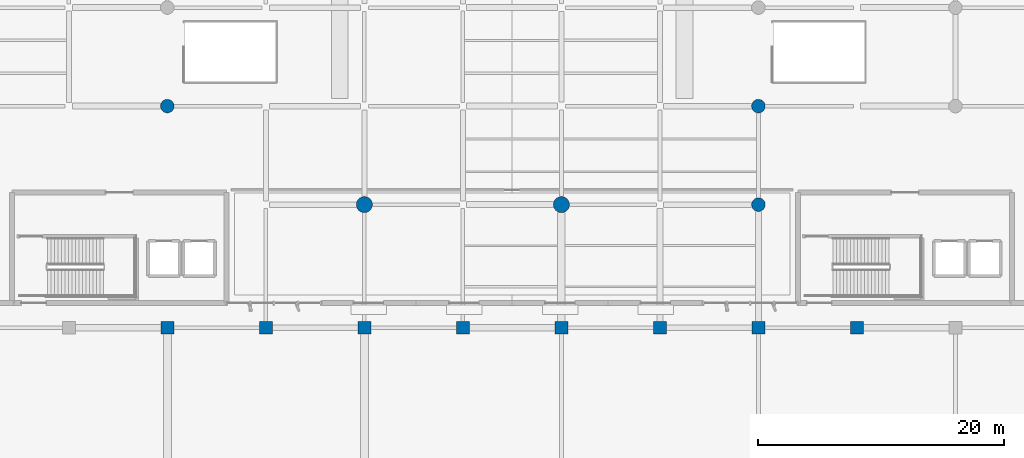
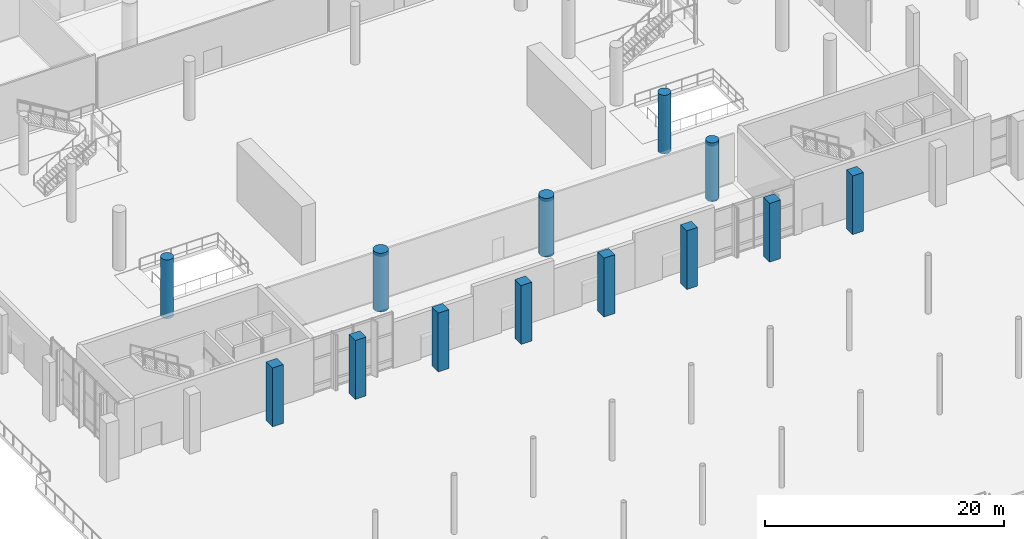
# One storey, part 6 of 163: 13 columns.
"""IFC4 building model written with IfcOpenShell, lengths in metres."""

from ifc_helpers import new_model, si_unit, direction, frame, origin, origin_2d, place, context, subcontext, project, spatial, rectangle, circle, extrude, material, material_profile, profile_set, type_object, element, save


model = new_model("IFC4")

# Units and contexts
model_context = context("Model", 3, precision=1e-05, world=origin(), true_north=direction((0.0, 1.0)))
body_context = subcontext(model_context, "Body", "Model", "MODEL_VIEW")
ifc_project = project(units=[si_unit("LENGTHUNIT", "METRE"), si_unit("AREAUNIT", "SQUARE_METRE"), si_unit("VOLUMEUNIT", "CUBIC_METRE"), si_unit("PLANEANGLEUNIT", "RADIAN"), si_unit("MASSUNIT", "GRAM", prefix="KILO")], contexts=[model_context])

# Site, building, storey
site_placement = place(None, origin())
site = spatial("IfcSite", under=ifc_project, at=site_placement, CompositionType="ELEMENT")
building_placement = place(site_placement, origin())
building = spatial("IfcBuilding", under=site, at=building_placement, Name="Khorjan Park Terminus", CompositionType="ELEMENT")
storey_placement = place(building_placement, origin())
storey = spatial("IfcBuildingStorey", under=building, at=storey_placement, Name="L00", CompositionType="ELEMENT", Elevation=0.0)

# Columns
ifc_material = material(Name="Concrete C50/60", Category="concrete")
ifc_material_profile_1 = material_profile(ifc_material, rectangle(XDim=1.05, YDim=1.05, at=origin_2d()), Name="RC 1050x1050")
ifc_profile_set_1 = profile_set([ifc_material_profile_1], Name="Concrete C50/60")
column_type_1 = type_object("IfcColumnType", Name="COL-RC1050", PredefinedType="COLUMN", material=ifc_profile_set_1)
for number, where, z_axis, x_axis, name in (
    (1, (64.0, 26.0, 0.0), (0.0, 0.0, 1.0), (1.0, 0.0, 0.0), "Structural column C-RC105 (L00 #286)"),
    (2, (72.0, 26.0, 0.0), (0.0, 0.0, 1.0), (1.0, 0.0, 0.0), "Structural column C-RC105 (L00 #309)"),
    (3, (80.0, 26.0, 0.0), (0.0, 0.0, 1.0), (1.0, 0.0, 0.0), "Structural column C-RC105 (L00 #325)"),
    (4, (88.0, 26.0, 0.0), (0.0, 0.0, 1.0), (1.0, 0.0, 0.0), "Structural column C-RC105 (L00 #346)"),
    (5, (96.0, 26.0, 0.0), (0.0, 0.0, 1.0), (1.0, 0.0, 0.0), "Structural column C-RC105 (L00 #362)"),
    (6, (104.0, 26.0, 0.0), (0.0, 0.0, 1.0), (1.0, 0.0, 0.0), "Structural column C-RC105 (L00 #383)"),
    (7, (112.0, 26.0, 0.0), (0.0, 0.0, 1.0), (1.0, 0.0, 0.0), "Structural column C-RC105 (L00 #399)"),
    (8, (120.0, 26.0, 0.0), (0.0, 0.0, 1.0), (1.0, 0.0, 0.0), "Structural column C-RC105 (L00 #427)"),
):
    element("IfcColumn", number, at=place(storey_placement, frame(where, z_axis=z_axis, x_axis=x_axis)), inside=storey, type_object=column_type_1, Name=name, PredefinedType="COLUMN", context=body_context, shape_type="SweptSolid", body=[
        extrude(rectangle(XDim=1.05, YDim=1.05, at=origin_2d()), origin(), (0.0, 0.0, 1.0), 6.0),
    ])
ifc_material_profile_2 = material_profile(ifc_material, circle(Radius=0.55, at=origin_2d()), Name="RC D1100")
ifc_profile_set_2 = profile_set([ifc_material_profile_2], Name="Concrete C50/60")
column_type_2 = type_object("IfcColumnType", Name="COL-RD1100", PredefinedType="COLUMN", material=ifc_profile_set_2)
for number, where, z_axis, x_axis, name in (
    (9, (64.0, 44.0, 0.0), (0.0, 0.0, 1.0), (1.0, 0.0, 0.0), "Structural column C-RD11 (L00 #291)"),
    (10, (112.0, 36.0, 0.0), (0.0, 0.0, 1.0), (1.0, 0.0, 0.0), "Structural column C-RD11 (L00 #404)"),
    (11, (112.0, 44.0, 0.0), (0.0, 0.0, 1.0), (1.0, 0.0, 0.0), "Structural column C-RD11 (L00 #407)"),
):
    element("IfcColumn", number, at=place(storey_placement, frame(where, z_axis=z_axis, x_axis=x_axis)), inside=storey, type_object=column_type_2, Name=name, PredefinedType="COLUMN", context=body_context, shape_type="SweptSolid", body=[
        extrude(circle(Radius=0.55, at=origin_2d()), origin(), (0.0, 0.0, 1.0), 6.0),
    ])
ifc_material_profile_3 = material_profile(ifc_material, circle(Radius=0.65, at=origin_2d()), Name="RC D1300")
ifc_profile_set_3 = profile_set([ifc_material_profile_3], Name="Concrete C50/60")
column_type_3 = type_object("IfcColumnType", Name="COL-RD1300", PredefinedType="COLUMN", material=ifc_profile_set_3)
for number, where, z_axis, x_axis, name in (
    (12, (80.0, 36.0, 0.0), (0.0, 0.0, 1.0), (1.0, 0.0, 0.0), "Structural column C-RD13 (L00 #330)"),
    (13, (96.0, 36.0, 0.0), (0.0, 0.0, 1.0), (1.0, 0.0, 0.0), "Structural column C-RD13 (L00 #367)"),
):
    element("IfcColumn", number, at=place(storey_placement, frame(where, z_axis=z_axis, x_axis=x_axis)), inside=storey, type_object=column_type_3, Name=name, PredefinedType="COLUMN", context=body_context, shape_type="SweptSolid", body=[
        extrude(circle(Radius=0.65, at=origin_2d()), origin(), (0.0, 0.0, 1.0), 6.0),
    ])

save(model, "model.ifc")
